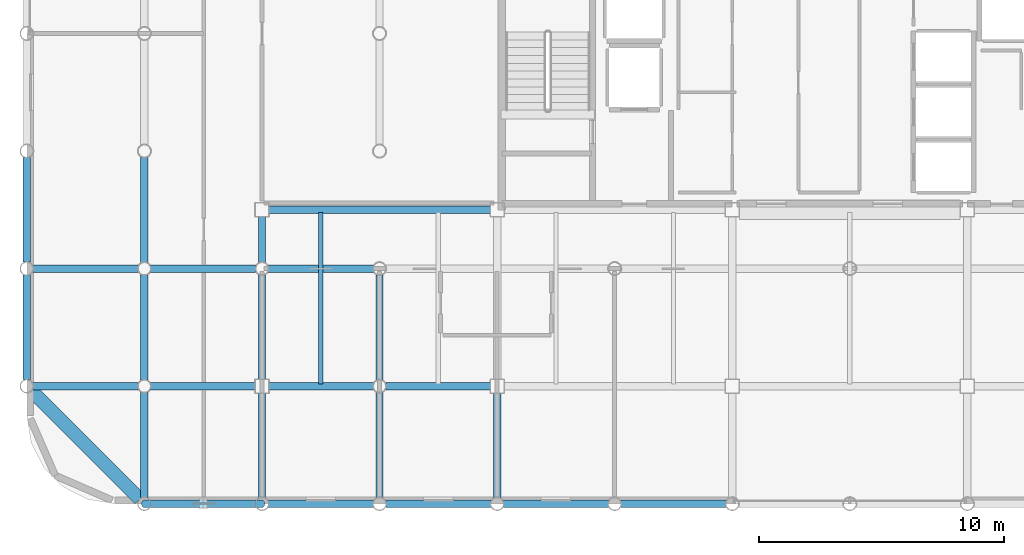
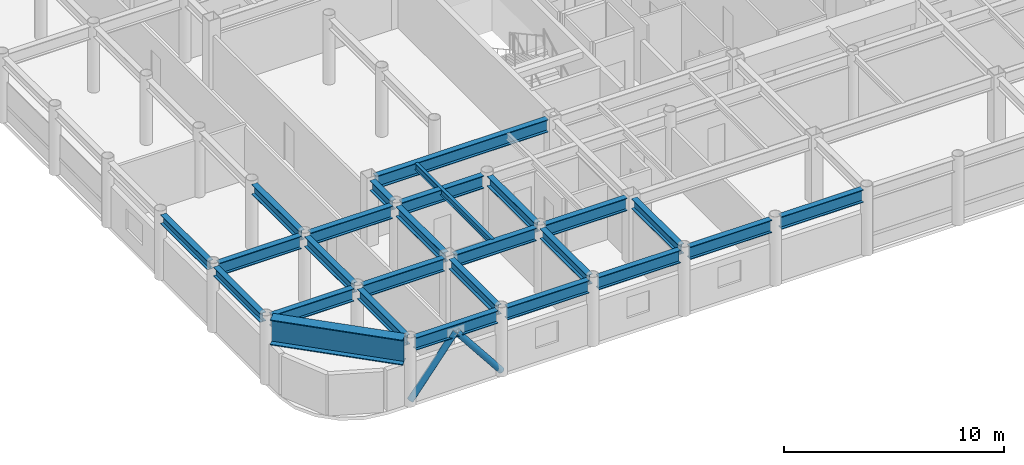
# One storey, part 3 of 22: 26 beams, 2 members.
"""IFC4 building model written with IfcOpenShell, lengths in metres."""

from ifc_helpers import new_model, si_unit, direction, frame, origin, origin_2d, place, context, subcontext, project, spatial, hollow_circle, i_section, extrude, material, material_profile, profile_set, type_object, element, save


model = new_model("IFC4")

# Units and contexts
model_context = context("Model", 3, precision=1e-05, world=origin(), true_north=direction((0.0, 1.0)))
body_context = subcontext(model_context, "Body", "Model", "MODEL_VIEW")
ifc_project = project(units=[si_unit("LENGTHUNIT", "METRE"), si_unit("AREAUNIT", "SQUARE_METRE"), si_unit("VOLUMEUNIT", "CUBIC_METRE"), si_unit("PLANEANGLEUNIT", "RADIAN"), si_unit("MASSUNIT", "GRAM", prefix="KILO")], contexts=[model_context])

# Site, building, storey
site_placement = place(None, origin())
site = spatial("IfcSite", under=ifc_project, at=site_placement, CompositionType="ELEMENT")
building_placement = place(site_placement, origin())
building = spatial("IfcBuilding", under=site, at=building_placement, Name="Kallvorn Hotel Tower", CompositionType="ELEMENT")
storey_placement = place(building_placement, frame((0.0, 0.0, 264.64990234375)))
storey = spatial("IfcBuildingStorey", under=building, at=storey_placement, Name="L66", CompositionType="ELEMENT", Elevation=264.64990234375)

# Beams
ifc_material_1 = material(Name="Structural steel S355JR", Category="steel")
ifc_material_profile_1 = material_profile(ifc_material_1, i_section(OverallWidth=0.300048828125, OverallDepth=0.5, WebThickness=0.014404296875, FlangeThickness=0.028076171875, at=origin_2d()), Name="HE 500 B")
ifc_profile_set_1 = profile_set([ifc_material_profile_1], Name="Structural steel S355JR")
beam_type_1 = type_object("IfcBeamType", Name="BM_HE500B", PredefinedType="SPANDREL", material=ifc_profile_set_1)
beam_1_placement = place(storey_placement, frame((-33.60009765625, -14.130615234375, 3.420166015625), z_axis=(0.0, 1.0, 0.0), x_axis=(-1.0, 0.0, 0.0)))
element("IfcBeam", 1, at=beam_1_placement, inside=storey, type_object=beam_type_1, Name="L67 Perimeter Spandrel 174", PredefinedType="SPANDREL", context=body_context, shape_type="SweptSolid", body=[
    extrude(i_section(OverallWidth=0.300048828125, OverallDepth=0.5, WebThickness=0.014404296875, FlangeThickness=0.028076171875, at=origin_2d()), origin(), (0.0, 0.0, 1.0), 4.26123046875),
])
beam_2_placement = place(storey_placement, frame((-33.60009765625, -9.33056640625, 3.420166015625), z_axis=(0.0, 1.0, 0.0), x_axis=(-1.0, 0.0, 0.0)))
element("IfcBeam", 2, at=beam_2_placement, inside=storey, type_object=beam_type_1, Name="L67 Perimeter Spandrel 175", PredefinedType="SPANDREL", context=body_context, shape_type="SweptSolid", body=[
    extrude(i_section(OverallWidth=0.300048828125, OverallDepth=0.5, WebThickness=0.014404296875, FlangeThickness=0.028076171875, at=origin_2d()), origin(), (0.0, 0.0, 1.0), 4.260986328125),
])
ifc_material_2 = material(Name="Structural steel S355JR", Category="steel")
ifc_material_profile_2 = material_profile(ifc_material_2, i_section(OverallWidth=0.300048828125, OverallDepth=0.550048828125, WebThickness=0.014892578125, FlangeThickness=0.029052734375, at=origin_2d()), Name="HE 550 B")
ifc_profile_set_2 = profile_set([ifc_material_profile_2], Name="Structural steel S355JR")
beam_type_2 = type_object("IfcBeamType", Name="BM_HE550B", PredefinedType="SPANDREL", material=ifc_profile_set_2)
for number, where, z_axis, x_axis, name in (
    (3, (-28.800048828125, -18.945556640625, 3.39501953125), (0.0, 1.0, 0.0), (-1.0, 0.0, 0.0), "L67 Primary Y-Girder 73"),
    (4, (-28.800048828125, -14.1455078125, 3.39501953125), (0.0, 1.0, 0.0), (-1.0, 0.0, 0.0), "L67 Primary Y-Girder 74"),
    (5, (-28.800048828125, -9.345458984375, 3.39501953125), (0.0, 1.0, 0.0), (-1.0, 0.0, 0.0), "L67 Primary Y-Girder 75"),
):
    element("IfcBeam", number, at=place(storey_placement, frame(where, z_axis=z_axis, x_axis=x_axis)), inside=storey, type_object=beam_type_2, Name=name, PredefinedType="SPANDREL", context=body_context, shape_type="SweptSolid", body=[
        extrude(i_section(OverallWidth=0.300048828125, OverallDepth=0.550048828125, WebThickness=0.014892578125, FlangeThickness=0.029052734375, at=origin_2d()), origin(), (0.0, 0.0, 1.0), 4.291015625),
    ])
for number, where, z_axis, x_axis, name in (
    (6, (-24.0, -18.945556640625, 3.39501953125), (0.0, 1.0, 0.0), (-1.0, 0.0, 0.0), "L67 Primary Y-Girder 82"),
    (7, (-24.0, -14.125, 3.39501953125), (0.0, 1.0, 0.0), (-1.0, 0.0, 0.0), "L67 Primary Y-Girder 83"),
):
    element("IfcBeam", number, at=place(storey_placement, frame(where, z_axis=z_axis, x_axis=x_axis)), inside=storey, type_object=beam_type_2, Name=name, PredefinedType="SPANDREL", context=body_context, shape_type="SweptSolid", body=[
        extrude(i_section(OverallWidth=0.300048828125, OverallDepth=0.550048828125, WebThickness=0.014892578125, FlangeThickness=0.029052734375, at=origin_2d()), origin(), (0.0, 0.0, 1.0), 4.2705078125),
    ])
beam_3_placement = place(storey_placement, frame((-24.0, -9.345458984375, 3.39501953125), z_axis=(0.0, 1.0, 0.0), x_axis=(-1.0, 0.0, 0.0)))
element("IfcBeam", 8, at=beam_3_placement, inside=storey, type_object=beam_type_2, Name="L67 Primary Y-Girder 84", PredefinedType="SPANDREL", context=body_context, shape_type="SweptSolid", body=[
    extrude(i_section(OverallWidth=0.300048828125, OverallDepth=0.550048828125, WebThickness=0.014892578125, FlangeThickness=0.029052734375, at=origin_2d()), origin(), (0.0, 0.0, 1.0), 1.870361328125),
])
for number, where, z_axis, x_axis, name in (
    (9, (-19.199951171875, -18.945556640625, 3.39501953125), (0.0, 1.0, 0.0), (-1.0, 0.0, 0.0), "L67 Primary Y-Girder 89"),
    (10, (-19.199951171875, -14.1455078125, 3.39501953125), (0.0, 1.0, 0.0), (-1.0, 0.0, 0.0), "L67 Primary Y-Girder 90"),
):
    element("IfcBeam", number, at=place(storey_placement, frame(where, z_axis=z_axis, x_axis=x_axis)), inside=storey, type_object=beam_type_2, Name=name, PredefinedType="SPANDREL", context=body_context, shape_type="SweptSolid", body=[
        extrude(i_section(OverallWidth=0.300048828125, OverallDepth=0.550048828125, WebThickness=0.014892578125, FlangeThickness=0.029052734375, at=origin_2d()), origin(), (0.0, 0.0, 1.0), 4.291015625),
    ])
beam_4_placement = place(storey_placement, frame((-14.39990234375, -18.945556640625, 3.39501953125), z_axis=(0.0, 1.0, 0.0), x_axis=(-1.0, 0.0, 0.0)))
element("IfcBeam", 11, at=beam_4_placement, inside=storey, type_object=beam_type_2, Name="L67 Primary Y-Girder 98", PredefinedType="SPANDREL", context=body_context, shape_type="SweptSolid", body=[
    extrude(i_section(OverallWidth=0.300048828125, OverallDepth=0.550048828125, WebThickness=0.014892578125, FlangeThickness=0.029052734375, at=origin_2d()), origin(), (0.0, 0.0, 1.0), 4.2705078125),
])
ifc_material_3 = material(Name="Structural steel S355JR", Category="steel")
ifc_material_profile_3 = material_profile(ifc_material_3, i_section(OverallWidth=0.300048828125, OverallDepth=0.699951171875, WebThickness=0.01708984375, FlangeThickness=0.031982421875, at=origin_2d()), Name="HE 700 B")
ifc_profile_set_3 = profile_set([ifc_material_profile_3], Name="Structural steel S355JR")
beam_type_3 = type_object("IfcBeamType", Name="BM_HE700B", PredefinedType="BEAM", material=ifc_profile_set_3)
for number, where, z_axis, x_axis, name in (
    (12, (-28.54541015625, -19.199951171875, 3.320068359375), (1.0, 0.0, 0.0), (0.0, 1.0, 0.0), "L67 Primary X-Girder 01"),
    (13, (-23.74560546875, -19.199951171875, 3.320068359375), (1.0, 0.0, 0.0), (0.0, 1.0, 0.0), "L67 Primary X-Girder 02"),
    (14, (-18.945556640625, -19.199951171875, 3.320068359375), (1.0, 0.0, 0.0), (0.0, 1.0, 0.0), "L67 Primary X-Girder 03"),
    (15, (-14.1455078125, -19.199951171875, 3.320068359375), (1.0, 0.0, 0.0), (0.0, 1.0, 0.0), "L67 Primary X-Girder 04"),
    (16, (-9.345458984375, -19.199951171875, 3.320068359375), (1.0, 0.0, 0.0), (0.0, 1.0, 0.0), "L67 Primary X-Girder 05"),
    (17, (-33.345458984375, -14.39990234375, 3.320068359375), (1.0, 0.0, 0.0), (0.0, 1.0, 0.0), "L67 Primary X-Girder 13"),
):
    element("IfcBeam", number, at=place(storey_placement, frame(where, z_axis=z_axis, x_axis=x_axis)), inside=storey, type_object=beam_type_3, Name=name, PredefinedType="BEAM", context=body_context, shape_type="SweptSolid", body=[
        extrude(i_section(OverallWidth=0.300048828125, OverallDepth=0.699951171875, WebThickness=0.01708984375, FlangeThickness=0.031982421875, at=origin_2d()), origin(), (0.0, 0.0, 1.0), 4.291015625),
    ])
for number, where, z_axis, x_axis, name in (
    (18, (-28.54541015625, -14.39990234375, 3.320068359375), (1.0, 0.0, 0.0), (0.0, 1.0, 0.0), "L67 Primary X-Girder 14"),
    (19, (-23.72509765625, -14.39990234375, 3.320068359375), (1.0, 0.0, 0.0), (0.0, 1.0, 0.0), "L67 Primary X-Girder 15"),
    (20, (-18.945556640625, -14.39990234375, 3.320068359375), (1.0, 0.0, 0.0), (0.0, 1.0, 0.0), "L67 Primary X-Girder 16"),
):
    element("IfcBeam", number, at=place(storey_placement, frame(where, z_axis=z_axis, x_axis=x_axis)), inside=storey, type_object=beam_type_3, Name=name, PredefinedType="BEAM", context=body_context, shape_type="SweptSolid", body=[
        extrude(i_section(OverallWidth=0.300048828125, OverallDepth=0.699951171875, WebThickness=0.01708984375, FlangeThickness=0.031982421875, at=origin_2d()), origin(), (0.0, 0.0, 1.0), 4.2705078125),
    ])
for number, where, z_axis, x_axis, name in (
    (21, (-33.345458984375, -9.60009765625, 3.320068359375), (1.0, 0.0, 0.0), (0.0, 1.0, 0.0), "L67 Primary X-Girder 23"),
    (22, (-28.54541015625, -9.60009765625, 3.320068359375), (1.0, 0.0, 0.0), (0.0, 1.0, 0.0), "L67 Primary X-Girder 24"),
    (23, (-23.74560546875, -9.60009765625, 3.320068359375), (1.0, 0.0, 0.0), (0.0, 1.0, 0.0), "L67 Primary X-Girder 25"),
):
    element("IfcBeam", number, at=place(storey_placement, frame(where, z_axis=z_axis, x_axis=x_axis)), inside=storey, type_object=beam_type_3, Name=name, PredefinedType="BEAM", context=body_context, shape_type="SweptSolid", body=[
        extrude(i_section(OverallWidth=0.300048828125, OverallDepth=0.699951171875, WebThickness=0.01708984375, FlangeThickness=0.031982421875, at=origin_2d()), origin(), (0.0, 0.0, 1.0), 4.291015625),
    ])
beam_5_placement = place(storey_placement, frame((-23.72509765625, -7.199951171875, 3.320068359375), z_axis=(1.0, 0.0, 0.0), x_axis=(0.0, 1.0, 0.0)))
element("IfcBeam", 24, at=beam_5_placement, inside=storey, type_object=beam_type_3, Name="L67 Primary X-Girder 32", PredefinedType="BEAM", context=body_context, shape_type="SweptSolid", body=[
    extrude(i_section(OverallWidth=0.300048828125, OverallDepth=0.699951171875, WebThickness=0.01708984375, FlangeThickness=0.031982421875, at=origin_2d()), origin(), (0.0, 0.0, 1.0), 9.050048828125),
])
ifc_material_4 = material(Name="Structural steel S355JR", Category="steel")
ifc_material_profile_4 = material_profile(ifc_material_4, i_section(OverallWidth=0.169921875, OverallDepth=0.360107421875, WebThickness=0.008056640625, FlangeThickness=0.0126953125, at=origin_2d()), Name="IPE 360")
ifc_profile_set_4 = profile_set([ifc_material_profile_4], Name="Structural steel S355JR")
beam_type_4 = type_object("IfcBeamType", Name="BM_IPE360", PredefinedType="JOIST", material=ifc_profile_set_4)
beam_6_placement = place(storey_placement, frame((-21.60009765625, -14.300048828125, 3.489990234375), z_axis=(0.0, 1.0, 0.0), x_axis=(-1.0, 0.0, 0.0)))
element("IfcBeam", 25, at=beam_6_placement, inside=storey, type_object=beam_type_4, Name="L67 Secondary Composite Joist 192", PredefinedType="JOIST", context=body_context, shape_type="SweptSolid", body=[
    extrude(i_section(OverallWidth=0.169921875, OverallDepth=0.360107421875, WebThickness=0.008056640625, FlangeThickness=0.0126953125, at=origin_2d()), origin(), (0.0, 0.0, 1.0), 7.0),
])
ifc_material_5 = material(Name="Structural steel S355JR", Category="steel")
ifc_material_profile_5 = material_profile(ifc_material_5, i_section(OverallWidth=0.550048828125, OverallDepth=1.39990234375, WebThickness=0.02490234375, FlangeThickness=0.044921875, at=origin_2d()), Name="PG 1400x550x25x45")
ifc_profile_set_5 = profile_set([ifc_material_profile_5], Name="Structural steel S355JR")
beam_type_5 = type_object("IfcBeamType", Name="BM_PG_1400", PredefinedType="BEAM", material=ifc_profile_set_5)
beam_7_placement = place(storey_placement, frame((-33.409423828125, -14.590576171875, 2.97021484375), z_axis=(0.707106781187, -0.707106781187, 0.0), x_axis=(0.707106781187, 0.707106781187, 0.0)))
element("IfcBeam", 26, at=beam_7_placement, inside=storey, type_object=beam_type_5, Name="L67 Rounded Corner Tie Beam 189", PredefinedType="BEAM", context=body_context, shape_type="SweptSolid", body=[
    extrude(i_section(OverallWidth=0.550048828125, OverallDepth=1.39990234375, WebThickness=0.02490234375, FlangeThickness=0.044921875, at=origin_2d()), origin(), (0.0, 0.0, 1.0), 6.249267578125),
])

# Members
ifc_material_6 = material(Name="Structural steel S355J2H", Category="steel")
ifc_material_profile_6 = material_profile(ifc_material_6, hollow_circle(Radius=0.161865234375, WallThickness=0.012451171875, at=origin_2d()), Name="CHS 323.9x12.5")
ifc_profile_set_6 = profile_set([ifc_material_profile_6], Name="Structural steel S355J2H")
member_type = type_object("IfcMemberType", Name="MBR_EXO_CHS323", PredefinedType="BRACE", material=ifc_profile_set_6)
for number, where, z_axis, x_axis, name in (
    (27, (-28.78759765625, -19.199951171875, 0.19580078125), (0.620928510901, 0.0, 0.783867198159), (0.0, 1.0, 0.0), "L66 Exoskeleton K-Brace S1A"),
    (28, (-24.012451171875, -19.199951171875, 0.19580078125), (-0.620928510901, 0.0, 0.783867198159), (0.0, -1.0, 0.0), "L66 Exoskeleton K-Brace S1B"),
):
    element("IfcMember", number, at=place(storey_placement, frame(where, z_axis=z_axis, x_axis=x_axis)), inside=storey, type_object=member_type, Name=name, PredefinedType="BRACE", context=body_context, shape_type="SweptSolid", body=[
        extrude(hollow_circle(Radius=0.161865234375, WallThickness=0.012451171875, at=origin_2d()), origin(), (0.0, 0.0, 1.0), 3.8251953125),
    ])

save(model, "model.ifc")
